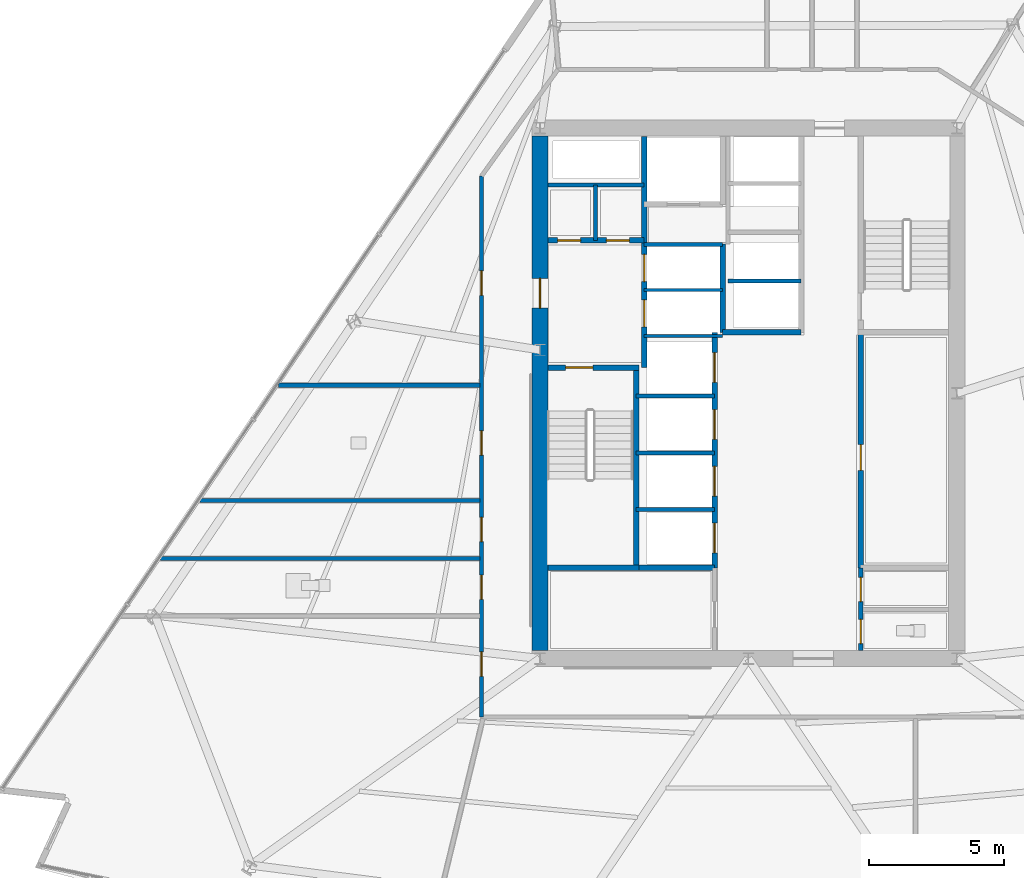
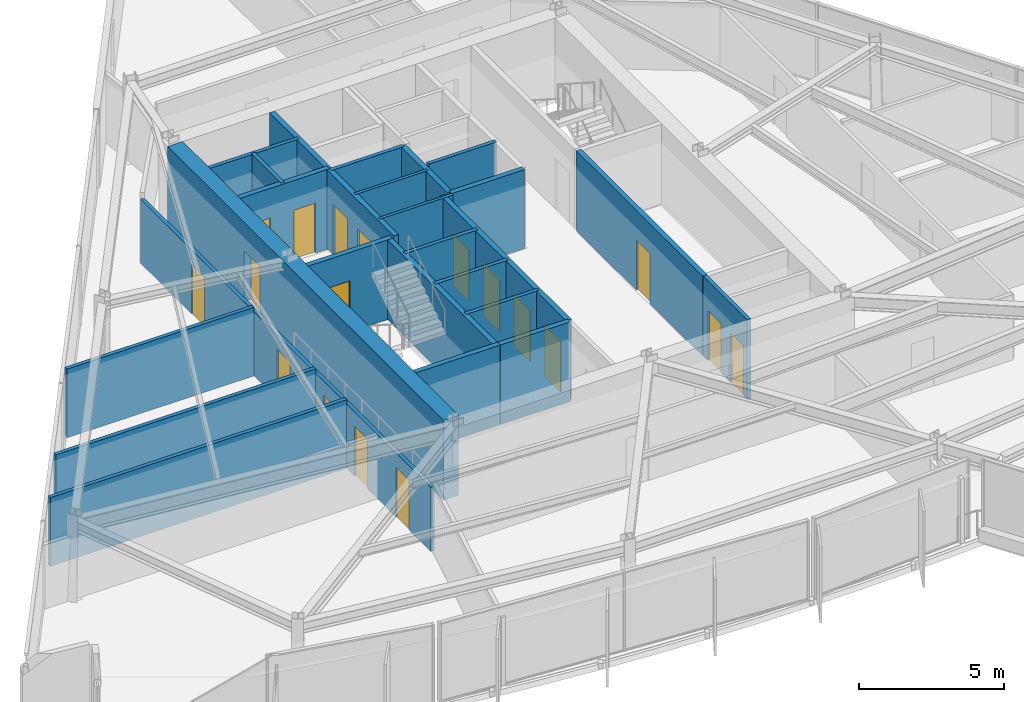
# One storey, part 8 of 15: 25 walls, 18 doors, 18 openings.
"""IFC4 building model written with IfcOpenShell, lengths in metres."""

from ifc_helpers import new_model, si_unit, direction, frame, frame_2d, origin, place, context, subcontext, project, spatial, rectangle, extrude, material, layer, layer_set, type_object, element, fill, save


model = new_model("IFC4")

# Units and contexts
model_context = context("Model", 3, precision=1e-05, world=origin(), true_north=direction((0.0, 1.0)))
body_context = subcontext(model_context, "Body", "Model", "MODEL_VIEW")
ifc_project = project(units=[si_unit("LENGTHUNIT", "METRE"), si_unit("AREAUNIT", "SQUARE_METRE"), si_unit("VOLUMEUNIT", "CUBIC_METRE"), si_unit("PLANEANGLEUNIT", "RADIAN"), si_unit("MASSUNIT", "GRAM", prefix="KILO")], contexts=[model_context])

# Site, building, storey
site_placement = place(None, origin())
site = spatial("IfcSite", under=ifc_project, at=site_placement, CompositionType="ELEMENT")
building_placement = place(site_placement, origin())
building = spatial("IfcBuilding", under=site, at=building_placement, Name="Savorim Split Tower", CompositionType="ELEMENT")
storey_placement = place(building_placement, frame((0.0, 0.0, 122.10009765625)))
storey = spatial("IfcBuildingStorey", under=building, at=storey_placement, Name="L32", CompositionType="ELEMENT", Elevation=122.10009765625)

# Wall, opening, door
ifc_material_1 = material(Name="Concrete C60/75", Category="concrete")
ifc_layer_1 = layer(ifc_material_1, 0.60009765625)
ifc_layer_set_1 = layer_set([ifc_layer_1], Name="WAL-COR-SH600")
wall_type_1 = type_object("IfcWallType", Name="WAL-COR-SH600", PredefinedType="SHEAR", material=ifc_layer_set_1)
wall_1_placement = place(storey_placement, frame((-7.699951171875, -9.10009765625, 0.0), z_axis=(0.0, 0.0, 1.0), x_axis=(0.0, 1.0, 0.0)))
wall_1 = element("IfcWall", 1, at=wall_1_placement, inside=storey, type_object=wall_type_1, Name="L32 Offset Core West Shear Wall", PredefinedType="SHEAR", context=body_context, shape_type="SweptSolid", body=[
    extrude(rectangle(XDim=19.0, YDim=0.60009765625, at=frame_2d((9.5, 0.0))), origin(), (0.0, 0.0, 1.0), 3.349853515625),
])
opening_1_placement = place(wall_1_placement, frame((12.64990234375, 0.0, 0.0)))
opening_1 = element("IfcOpeningElement", 2, at=opening_1_placement, cuts=wall_1, Name="Opening DI-03", PredefinedType="OPENING", context=body_context, shape_type="SweptSolid", body=[
    extrude(rectangle(XDim=1.10009765625, YDim=2.14990234375, at=frame_2d((0.550048828125, 1.074951171875))), frame((0.0, 0.31005859375, 0.0), z_axis=(0.0, -1.0, 0.0), x_axis=(1.0, 0.0, 0.0)), (0.0, 0.0, 1.0), 0.6201171875),
])
ifc_material_2 = material(Name="Timber Fire Door Leaf", Category="wood")
door_type_1 = type_object("IfcDoorType", Name="DOR-FIR-1100", OperationType="NOTDEFINED", PredefinedType="DOOR", material=ifc_material_2)
door_1_placement = place(opening_1_placement, origin())
door_1 = element("IfcDoor", 3, at=door_1_placement, inside=storey, type_object=door_type_1, Name="DOR-L32-COR-FFLOB - L32 Firefighting Lobby Corridor Door", OperationType="SINGLE_SWING_RIGHT", OverallHeight=2.14990234375, OverallWidth=1.10009765625, PredefinedType="DOOR", context=body_context, shape_type="SweptSolid", body=[
    extrude(rectangle(XDim=1.10009765625, YDim=2.14990234375, at=frame_2d((0.550048828125, 1.074951171875))), frame((0.0, 0.02490234375, 0.0), z_axis=(0.0, -1.0, 0.0), x_axis=(1.0, 0.0, 0.0)), (0.0, 0.0, 1.0), 0.050048828125),
])
fill(opening_1, door_1)

ifc_material_3 = material(Name="Concrete C50/60", Category="concrete")
ifc_layer_2 = layer(ifc_material_3, 0.199951171875)
ifc_layer_set_2 = layer_set([ifc_layer_2], Name="WAL-INT-RC200")
wall_type_2 = type_object("IfcWallType", Name="WAL-INT-RC200", PredefinedType="SOLIDWALL", material=ifc_layer_set_2)
wall_2_placement = place(storey_placement, frame((-7.39990234375, 1.35009765625, 0.0), z_axis=(0.0, 0.0, 1.0), x_axis=(1.0, 0.0, 0.0)))
wall_2 = element("IfcWall", 4, at=wall_2_placement, inside=storey, type_object=wall_type_2, Name="L32 Structural Shaft Wall W-L32-CR01", PredefinedType="SOLIDWALL", context=body_context, shape_type="SweptSolid", body=[
    extrude(rectangle(XDim=3.349853515625, YDim=0.199951171875, at=frame_2d((1.6748046875, 0.0))), origin(), (0.0, 0.0, 1.0), 3.349853515625),
])
opening_2_placement = place(wall_2_placement, frame((0.64990234375, 0.0, 0.0)))
opening_2 = element("IfcOpeningElement", 5, at=opening_2_placement, cuts=wall_2, Name="Opening DI-04", PredefinedType="OPENING", context=body_context, shape_type="SweptSolid", body=[
    extrude(rectangle(XDim=1.0, YDim=2.14990234375, at=frame_2d((0.5, 1.074951171875))), frame((0.0, 0.10986328125, 0.0), z_axis=(0.0, -1.0, 0.0), x_axis=(1.0, 0.0, 0.0)), (0.0, 0.0, 1.0), 0.219970703125),
])
door_type_2 = type_object("IfcDoorType", Name="DOR-FIR-1000", OperationType="NOTDEFINED", PredefinedType="DOOR", material=ifc_material_2)
door_2_placement = place(opening_2_placement, origin())
door_2 = element("IfcDoor", 6, at=door_2_placement, inside=storey, type_object=door_type_2, Name="DR-L32-ST1 - L32 Stair ST-1 Enclosure Door", OperationType="SINGLE_SWING_LEFT", OverallHeight=2.14990234375, OverallWidth=1.0, PredefinedType="DOOR", context=body_context, shape_type="SweptSolid", body=[
    extrude(rectangle(XDim=1.0, YDim=2.14990234375, at=frame_2d((0.5, 1.074951171875))), frame((0.0, 0.02490234375, 0.0), z_axis=(0.0, -1.0, 0.0), x_axis=(1.0, 0.0, 0.0)), (0.0, 0.0, 1.0), 0.050048828125),
])
fill(opening_2, door_2)

# Wall
wall_3_placement = place(storey_placement, frame((-4.14990234375, -5.949951171875, 0.0), z_axis=(0.0, 0.0, 1.0), x_axis=(0.0, 1.0, 0.0)))
element("IfcWall", 7, at=wall_3_placement, inside=storey, type_object=wall_type_2, Name="L32 Structural Shaft Wall W-L32-CR02", PredefinedType="SOLIDWALL", context=body_context, shape_type="SweptSolid", body=[
    extrude(rectangle(XDim=7.199951171875, YDim=0.199951171875, at=frame_2d((3.60009765625, 0.0))), origin(), (0.0, 0.0, 1.0), 3.349853515625),
])

# Wall, openings, doors
wall_4_placement = place(storey_placement, frame((-3.85009765625, 1.35009765625, 0.0), z_axis=(0.0, 0.0, 1.0), x_axis=(0.0, 1.0, 0.0)))
wall_4 = element("IfcWall", 8, at=wall_4_placement, inside=storey, type_object=wall_type_2, Name="L32 Partition W-L32-CR03", PredefinedType="SOLIDWALL", context=body_context, shape_type="SweptSolid", body=[
    extrude(rectangle(XDim=8.544921875, YDim=0.199951171875, at=frame_2d((4.2724609375, 0.0))), origin(), (0.0, 0.0, 1.0), 3.349853515625),
])
opening_3_placement = place(wall_4_placement, frame((1.5, 0.0, 0.0)))
opening_3 = element("IfcOpeningElement", 9, at=opening_3_placement, cuts=wall_4, Name="Opening LD-FFL", PredefinedType="OPENING", context=body_context, shape_type="SweptSolid", body=[
    extrude(rectangle(XDim=1.0, YDim=2.14990234375, at=frame_2d((0.5, 1.074951171875))), frame((0.0, 0.10986328125, 0.0), z_axis=(0.0, -1.0, 0.0), x_axis=(1.0, 0.0, 0.0)), (0.0, 0.0, 1.0), 0.219970703125),
])
opening_4_placement = place(wall_4_placement, frame((3.179931640625, 0.0, 0.0)))
opening_4 = element("IfcOpeningElement", 10, at=opening_4_placement, cuts=wall_4, Name="Opening LD-FFL", PredefinedType="OPENING", context=body_context, shape_type="SweptSolid", body=[
    extrude(rectangle(XDim=1.0, YDim=2.14990234375, at=frame_2d((0.5, 1.074951171875))), frame((0.0, 0.10986328125, 0.0), z_axis=(0.0, -1.0, 0.0), x_axis=(1.0, 0.0, 0.0)), (0.0, 0.0, 1.0), 0.219970703125),
])
ifc_material_4 = material(Name="Charcoal Anodised Aluminium", Category="aluminium")
door_type_3 = type_object("IfcDoorType", Name="DOR-SLD-LD1000", OperationType="NOTDEFINED", PredefinedType="DOOR", material=ifc_material_4)
door_3_placement = place(opening_3_placement, origin())
door_3 = element("IfcDoor", 11, at=door_3_placement, inside=storey, type_object=door_type_3, Name="DR-L32-LD-FFL1 - L32 Firefighting Lift FFL-1 Sliding Landing Door", OperationType="DOUBLE_DOOR_SLIDING", OverallHeight=2.14990234375, OverallWidth=1.0, PredefinedType="DOOR", context=body_context, shape_type="SweptSolid", body=[
    extrude(rectangle(XDim=1.0, YDim=2.14990234375, at=frame_2d((0.5, 1.074951171875))), frame((0.0, 0.02490234375, 0.0), z_axis=(0.0, -1.0, 0.0), x_axis=(1.0, 0.0, 0.0)), (0.0, 0.0, 1.0), 0.050048828125),
])
fill(opening_3, door_3)
door_4_placement = place(opening_4_placement, origin())
door_4 = element("IfcDoor", 12, at=door_4_placement, inside=storey, type_object=door_type_3, Name="DR-L32-LD-FFL2 - L32 Firefighting Lift FFL-2 Sliding Landing Door", OperationType="DOUBLE_DOOR_SLIDING", OverallHeight=2.14990234375, OverallWidth=1.0, PredefinedType="DOOR", context=body_context, shape_type="SweptSolid", body=[
    extrude(rectangle(XDim=1.0, YDim=2.14990234375, at=frame_2d((0.5, 1.074951171875))), frame((0.0, 0.02490234375, 0.0), z_axis=(0.0, -1.0, 0.0), x_axis=(1.0, 0.0, 0.0)), (0.0, 0.0, 1.0), 0.050048828125),
])
fill(opening_4, door_4)

wall_5_placement = place(storey_placement, frame((-7.39501953125, 6.050048828125, 0.0), z_axis=(0.0, 0.0, 1.0), x_axis=(1.0, 0.0, 0.0)))
wall_5 = element("IfcWall", 13, at=wall_5_placement, inside=storey, type_object=wall_type_2, Name="L32 Partition W-L32-CR04", PredefinedType="SOLIDWALL", context=body_context, shape_type="SweptSolid", body=[
    extrude(rectangle(XDim=3.544921875, YDim=0.199951171875, at=frame_2d((1.7724609375, 0.0))), origin(), (0.0, 0.0, 1.0), 3.349853515625),
])
opening_5_placement = place(wall_5_placement, frame((0.344970703125, 0.0, 0.0)))
opening_5 = element("IfcOpeningElement", 14, at=opening_5_placement, cuts=wall_5, Name="Opening DI-12", PredefinedType="OPENING", context=body_context, shape_type="SweptSolid", body=[
    extrude(rectangle(XDim=0.85009765625, YDim=2.10009765625, at=frame_2d((0.425048828125, 1.050048828125))), frame((0.0, 0.10986328125, 0.0), z_axis=(0.0, -1.0, 0.0), x_axis=(1.0, 0.0, 0.0)), (0.0, 0.0, 1.0), 0.219970703125),
])
opening_6_placement = place(wall_5_placement, frame((2.14501953125, 0.0, 0.0)))
opening_6 = element("IfcOpeningElement", 15, at=opening_6_placement, cuts=wall_5, Name="Opening DI-12", PredefinedType="OPENING", context=body_context, shape_type="SweptSolid", body=[
    extrude(rectangle(XDim=0.85009765625, YDim=2.10009765625, at=frame_2d((0.425048828125, 1.050048828125))), frame((0.0, 0.10986328125, 0.0), z_axis=(0.0, -1.0, 0.0), x_axis=(1.0, 0.0, 0.0)), (0.0, 0.0, 1.0), 0.219970703125),
])
ifc_material_5 = material(Name="Galvanised Painted Steel Balustrade", Category="steel")
door_type_4 = type_object("IfcDoorType", Name="DOR-RIS-850", OperationType="NOTDEFINED", PredefinedType="DOOR", material=ifc_material_5)
door_5_placement = place(opening_5_placement, origin())
door_5 = element("IfcDoor", 16, at=door_5_placement, inside=storey, type_object=door_type_4, Name="DR-L32-ELR - L32 Electrical Riser Access Door", OperationType="SINGLE_SWING_RIGHT", OverallHeight=2.10009765625, OverallWidth=0.85009765625, PredefinedType="DOOR", context=body_context, shape_type="SweptSolid", body=[
    extrude(rectangle(XDim=0.85009765625, YDim=2.10009765625, at=frame_2d((0.425048828125, 1.050048828125))), frame((0.0, 0.02490234375, 0.0), z_axis=(0.0, -1.0, 0.0), x_axis=(1.0, 0.0, 0.0)), (0.0, 0.0, 1.0), 0.050048828125),
])
fill(opening_5, door_5)
door_6_placement = place(opening_6_placement, origin())
door_6 = element("IfcDoor", 17, at=door_6_placement, inside=storey, type_object=door_type_4, Name="DR-L32-TLR - L32 Telecom Riser Access Door", OperationType="SINGLE_SWING_LEFT", OverallHeight=2.10009765625, OverallWidth=0.85009765625, PredefinedType="DOOR", context=body_context, shape_type="SweptSolid", body=[
    extrude(rectangle(XDim=0.85009765625, YDim=2.10009765625, at=frame_2d((0.425048828125, 1.050048828125))), frame((0.0, 0.02490234375, 0.0), z_axis=(0.0, -1.0, 0.0), x_axis=(1.0, 0.0, 0.0)), (0.0, 0.0, 1.0), 0.050048828125),
])
fill(opening_6, door_6)

# Wall
wall_6_placement = place(storey_placement, frame((-0.949951171875, 2.64990234375, 0.0), z_axis=(0.0, 0.0, 1.0), x_axis=(0.0, 1.0, 0.0)))
element("IfcWall", 18, at=wall_6_placement, inside=storey, type_object=wall_type_2, Name="L32 Partition W-L32-FFLW", PredefinedType="SOLIDWALL", context=body_context, shape_type="SweptSolid", body=[
    extrude(rectangle(XDim=3.27001953125, YDim=0.199951171875, at=frame_2d((1.635009765625, 0.0))), origin(), (0.0, 0.0, 1.0), 3.349853515625),
])

# Wall, opening, door
wall_7_placement = place(storey_placement, frame((4.14990234375, -6.050048828125, 0.0), z_axis=(0.0, 0.0, 1.0), x_axis=(0.0, 1.0, 0.0)))
wall_7 = element("IfcWall", 19, at=wall_7_placement, inside=storey, type_object=wall_type_2, Name="L32 Partition W-L32-B1FRONT", PredefinedType="SOLIDWALL", context=body_context, shape_type="SweptSolid", body=[
    extrude(rectangle(XDim=8.699951171875, YDim=0.199951171875, at=frame_2d((4.35009765625, 0.0))), origin(), (0.0, 0.0, 1.0), 3.349853515625),
])
opening_7_placement = place(wall_7_placement, frame((3.60009765625, 0.0, 0.0)))
opening_7 = element("IfcOpeningElement", 20, at=opening_7_placement, cuts=wall_7, Name="Opening DI-05", PredefinedType="OPENING", context=body_context, shape_type="SweptSolid", body=[
    extrude(rectangle(XDim=0.949951171875, YDim=2.10009765625, at=frame_2d((0.47509765625, 1.050048828125))), frame((0.0, 0.10986328125, 0.0), z_axis=(0.0, -1.0, 0.0), x_axis=(1.0, 0.0, 0.0)), (0.0, 0.0, 1.0), 0.219970703125),
])
door_type_5 = type_object("IfcDoorType", Name="DOR-FIR-950", OperationType="NOTDEFINED", PredefinedType="DOOR", material=ifc_material_2)
door_7_placement = place(opening_7_placement, origin())
door_7 = element("IfcDoor", 21, at=door_7_placement, inside=storey, type_object=door_type_5, Name="DR-L32-LV7B1 - L32 Quiet Study Room Door", OperationType="SINGLE_SWING_RIGHT", OverallHeight=2.10009765625, OverallWidth=0.949951171875, PredefinedType="DOOR", context=body_context, shape_type="SweptSolid", body=[
    extrude(rectangle(XDim=0.949951171875, YDim=2.10009765625, at=frame_2d((0.47509765625, 1.050048828125))), frame((0.0, 0.02490234375, 0.0), z_axis=(0.0, -1.0, 0.0), x_axis=(1.0, 0.0, 0.0)), (0.0, 0.0, 1.0), 0.050048828125),
])
fill(opening_7, door_7)

# Wall, openings, doors
wall_8_placement = place(storey_placement, frame((-1.25, -6.050048828125, 0.0), z_axis=(0.0, 0.0, 1.0), x_axis=(0.0, 1.0, 0.0)))
wall_8 = element("IfcWall", 22, at=wall_8_placement, inside=storey, type_object=wall_type_2, Name="L32 Partition W-L32-B2FRONT", PredefinedType="SOLIDWALL", context=body_context, shape_type="SweptSolid", body=[
    extrude(rectangle(XDim=8.699951171875, YDim=0.199951171875, at=frame_2d((4.35009765625, 0.0))), origin(), (0.0, 0.0, 1.0), 3.349853515625),
])
opening_8_placement = place(wall_8_placement, frame((0.550048828125, 0.0, 0.0)))
opening_8 = element("IfcOpeningElement", 23, at=opening_8_placement, cuts=wall_8, Name="Opening LD-02", PredefinedType="OPENING", context=body_context, shape_type="SweptSolid", body=[
    extrude(rectangle(XDim=1.10009765625, YDim=2.14990234375, at=frame_2d((0.550048828125, 1.074951171875))), frame((0.0, 0.10986328125, 0.0), z_axis=(0.0, -1.0, 0.0), x_axis=(1.0, 0.0, 0.0)), (0.0, 0.0, 1.0), 0.219970703125),
])
opening_9_placement = place(wall_8_placement, frame((2.64990234375, 0.0, 0.0)))
opening_9 = element("IfcOpeningElement", 24, at=opening_9_placement, cuts=wall_8, Name="Opening LD-02", PredefinedType="OPENING", context=body_context, shape_type="SweptSolid", body=[
    extrude(rectangle(XDim=1.10009765625, YDim=2.14990234375, at=frame_2d((0.550048828125, 1.074951171875))), frame((0.0, 0.10986328125, 0.0), z_axis=(0.0, -1.0, 0.0), x_axis=(1.0, 0.0, 0.0)), (0.0, 0.0, 1.0), 0.219970703125),
])
opening_10_placement = place(wall_8_placement, frame((4.75, 0.0, 0.0)))
opening_10 = element("IfcOpeningElement", 25, at=opening_10_placement, cuts=wall_8, Name="Opening LD-02", PredefinedType="OPENING", context=body_context, shape_type="SweptSolid", body=[
    extrude(rectangle(XDim=1.10009765625, YDim=2.14990234375, at=frame_2d((0.550048828125, 1.074951171875))), frame((0.0, 0.10986328125, 0.0), z_axis=(0.0, -1.0, 0.0), x_axis=(1.0, 0.0, 0.0)), (0.0, 0.0, 1.0), 0.219970703125),
])
opening_11_placement = place(wall_8_placement, frame((6.85009765625, 0.0, 0.0)))
opening_11 = element("IfcOpeningElement", 26, at=opening_11_placement, cuts=wall_8, Name="Opening LD-02", PredefinedType="OPENING", context=body_context, shape_type="SweptSolid", body=[
    extrude(rectangle(XDim=1.10009765625, YDim=2.14990234375, at=frame_2d((0.550048828125, 1.074951171875))), frame((0.0, 0.10986328125, 0.0), z_axis=(0.0, -1.0, 0.0), x_axis=(1.0, 0.0, 0.0)), (0.0, 0.0, 1.0), 0.219970703125),
])
door_type_6 = type_object("IfcDoorType", Name="DOR-SLD-LDM1100", OperationType="NOTDEFINED", PredefinedType="DOOR", material=ifc_material_4)
door_8_placement = place(opening_8_placement, origin())
door_8 = element("IfcDoor", 27, at=door_8_placement, inside=storey, type_object=door_type_6, Name="DR-L32-LD-PLM1 - L32 Lift PL-M1 Sliding Landing Door", OperationType="DOUBLE_DOOR_SLIDING", OverallHeight=2.14990234375, OverallWidth=1.10009765625, PredefinedType="DOOR", context=body_context, shape_type="SweptSolid", body=[
    extrude(rectangle(XDim=1.10009765625, YDim=2.14990234375, at=frame_2d((0.550048828125, 1.074951171875))), frame((0.0, 0.02490234375, 0.0), z_axis=(0.0, -1.0, 0.0), x_axis=(1.0, 0.0, 0.0)), (0.0, 0.0, 1.0), 0.050048828125),
])
fill(opening_8, door_8)
door_9_placement = place(opening_9_placement, origin())
door_9 = element("IfcDoor", 28, at=door_9_placement, inside=storey, type_object=door_type_6, Name="DR-L32-LD-PLM2 - L32 Lift PL-M2 Sliding Landing Door", OperationType="DOUBLE_DOOR_SLIDING", OverallHeight=2.14990234375, OverallWidth=1.10009765625, PredefinedType="DOOR", context=body_context, shape_type="SweptSolid", body=[
    extrude(rectangle(XDim=1.10009765625, YDim=2.14990234375, at=frame_2d((0.550048828125, 1.074951171875))), frame((0.0, 0.02490234375, 0.0), z_axis=(0.0, -1.0, 0.0), x_axis=(1.0, 0.0, 0.0)), (0.0, 0.0, 1.0), 0.050048828125),
])
fill(opening_9, door_9)
door_10_placement = place(opening_10_placement, origin())
door_10 = element("IfcDoor", 29, at=door_10_placement, inside=storey, type_object=door_type_6, Name="DR-L32-LD-PLM3 - L32 Lift PL-M3 Sliding Landing Door", OperationType="DOUBLE_DOOR_SLIDING", OverallHeight=2.14990234375, OverallWidth=1.10009765625, PredefinedType="DOOR", context=body_context, shape_type="SweptSolid", body=[
    extrude(rectangle(XDim=1.10009765625, YDim=2.14990234375, at=frame_2d((0.550048828125, 1.074951171875))), frame((0.0, 0.02490234375, 0.0), z_axis=(0.0, -1.0, 0.0), x_axis=(1.0, 0.0, 0.0)), (0.0, 0.0, 1.0), 0.050048828125),
])
fill(opening_10, door_10)
door_11_placement = place(opening_11_placement, origin())
door_11 = element("IfcDoor", 30, at=door_11_placement, inside=storey, type_object=door_type_6, Name="DR-L32-LD-PLM4 - L32 Lift PL-M4 Sliding Landing Door", OperationType="DOUBLE_DOOR_SLIDING", OverallHeight=2.14990234375, OverallWidth=1.10009765625, PredefinedType="DOOR", context=body_context, shape_type="SweptSolid", body=[
    extrude(rectangle(XDim=1.10009765625, YDim=2.14990234375, at=frame_2d((0.550048828125, 1.074951171875))), frame((0.0, 0.02490234375, 0.0), z_axis=(0.0, -1.0, 0.0), x_axis=(1.0, 0.0, 0.0)), (0.0, 0.0, 1.0), 0.050048828125),
])
fill(opening_11, door_11)

# Walls
wall_9_placement = place(storey_placement, frame((-0.949951171875, 2.64990234375, 0.0), z_axis=(0.0, 0.0, 1.0), x_axis=(1.0, 0.0, 0.0)))
element("IfcWall", 31, at=wall_9_placement, inside=storey, type_object=wall_type_2, Name="L32 Partition W-L32-B3SOUTH", PredefinedType="SOLIDWALL", context=body_context, shape_type="SweptSolid", body=[
    extrude(rectangle(XDim=2.89990234375, YDim=0.199951171875, at=frame_2d((1.449951171875, 0.0))), origin(), (0.0, 0.0, 1.0), 3.349853515625),
])
wall_10_placement = place(storey_placement, frame((-7.39990234375, -6.050048828125, 0.0), z_axis=(0.0, 0.0, 1.0), x_axis=(1.0, 0.0, 0.0)))
element("IfcWall", 32, at=wall_10_placement, inside=storey, type_object=wall_type_2, Name="L32 Structural Shaft Wall W-L32-KSEP-W", PredefinedType="SOLIDWALL", context=body_context, shape_type="SweptSolid", body=[
    extrude(rectangle(XDim=3.349853515625, YDim=0.199951171875, at=frame_2d((1.6748046875, 0.0))), origin(), (0.0, 0.0, 1.0), 3.349853515625),
])
wall_11_placement = place(storey_placement, frame((-4.0400390625, -6.050048828125, 0.0), z_axis=(0.0, 0.0, 1.0), x_axis=(1.0, 0.0, 0.0)))
element("IfcWall", 33, at=wall_11_placement, inside=storey, type_object=wall_type_2, Name="L32 Partition W-L32-KSEP-W2", PredefinedType="SOLIDWALL", context=body_context, shape_type="SweptSolid", body=[
    extrude(rectangle(XDim=2.7900390625, YDim=0.199951171875, at=frame_2d((1.39501953125, 0.0))), origin(), (0.0, 0.0, 1.0), 3.349853515625),
])
ifc_material_6 = material(Name="Acoustic Gypsum Partition Board")
ifc_layer_3 = layer(ifc_material_6, 0.1201171875)
ifc_layer_set_3 = layer_set([ifc_layer_3], Name="WAL-PAR-120")
wall_type_3 = type_object("IfcWallType", Name="WAL-PAR-120", PredefinedType="PARTITIONING", material=ifc_layer_set_3)
for number, where, z_axis, x_axis, name in (
    (34, (-3.85009765625, 2.52001953125, 0.0), (0.0, 0.0, 1.0), (1.0, 0.0, 0.0), "L32 Partition W-L32-FFLD0"),
    (35, (-3.85009765625, 4.219970703125, 0.0), (0.0, 0.0, 1.0), (1.0, 0.0, 0.0), "L32 Partition W-L32-FFLD1"),
):
    element("IfcWall", number, at=place(storey_placement, frame(where, z_axis=z_axis, x_axis=x_axis)), inside=storey, type_object=wall_type_3, Name=name, PredefinedType="PARTITIONING", context=body_context, shape_type="SweptSolid", body=[
        extrude(rectangle(XDim=2.900146484375, YDim=0.1201171875, at=frame_2d((1.4501953125, 0.0))), origin(), (0.0, 0.0, 1.0), 3.349853515625),
    ])
ifc_layer_4 = layer(ifc_material_6, 0.14990234375)
ifc_layer_set_4 = layer_set([ifc_layer_4], Name="WAL-PAR-150")
wall_type_4 = type_object("IfcWallType", Name="WAL-PAR-150", PredefinedType="PARTITIONING", material=ifc_layer_set_4)
wall_12_placement = place(storey_placement, frame((-7.39501953125, 8.10009765625, 0.0), z_axis=(0.0, 0.0, 1.0), x_axis=(1.0, 0.0, 0.0)))
element("IfcWall", 36, at=wall_12_placement, inside=storey, type_object=wall_type_4, Name="L32 Partition W-L32-CR05", PredefinedType="PARTITIONING", context=body_context, shape_type="SweptSolid", body=[
    extrude(rectangle(XDim=3.544921875, YDim=0.14990234375, at=frame_2d((1.7724609375, 0.0))), origin(), (0.0, 0.0, 1.0), 3.349853515625),
])
wall_13_placement = place(storey_placement, frame((-5.64990234375, 6.050048828125, 0.0), z_axis=(0.0, 0.0, 1.0), x_axis=(0.0, 1.0, 0.0)))
element("IfcWall", 37, at=wall_13_placement, inside=storey, type_object=wall_type_4, Name="L32 Partition W-L32-CR06", PredefinedType="PARTITIONING", context=body_context, shape_type="SweptSolid", body=[
    extrude(rectangle(XDim=2.050048828125, YDim=0.14990234375, at=frame_2d((1.02490234375, 0.0))), origin(), (0.0, 0.0, 1.0), 3.349853515625),
])
wall_14_placement = place(storey_placement, frame((-3.85009765625, 5.89990234375, 0.0), z_axis=(0.0, 0.0, 1.0), x_axis=(1.0, 0.0, 0.0)))
element("IfcWall", 38, at=wall_14_placement, inside=storey, type_object=wall_type_4, Name="L32 Partition W-L32-FFLD2", PredefinedType="PARTITIONING", context=body_context, shape_type="SweptSolid", body=[
    extrude(rectangle(XDim=2.900146484375, YDim=0.14990234375, at=frame_2d((1.4501953125, 0.0))), origin(), (0.0, 0.0, 1.0), 3.349853515625),
])
for number, where, z_axis, x_axis, name in (
    (39, (-4.14990234375, -3.89990234375, 0.0), (0.0, 0.0, 1.0), (1.0, 0.0, 0.0), "L32 Partition W-L32-B2DIV1"),
    (40, (-4.14990234375, -1.800048828125, 0.0), (0.0, 0.0, 1.0), (1.0, 0.0, 0.0), "L32 Partition W-L32-B2DIV2"),
    (41, (-4.14990234375, 0.300048828125, 0.0), (0.0, 0.0, 1.0), (1.0, 0.0, 0.0), "L32 Partition W-L32-B2DIV3"),
):
    element("IfcWall", number, at=place(storey_placement, frame(where, z_axis=z_axis, x_axis=x_axis)), inside=storey, type_object=wall_type_4, Name=name, PredefinedType="PARTITIONING", context=body_context, shape_type="SweptSolid", body=[
        extrude(rectangle(XDim=2.89990234375, YDim=0.14990234375, at=frame_2d((1.449951171875, 0.0))), origin(), (0.0, 0.0, 1.0), 3.349853515625),
    ])
wall_15_placement = place(storey_placement, frame((-0.75, 4.550048828125, 0.0), z_axis=(0.0, 0.0, 1.0), x_axis=(1.0, 0.0, 0.0)))
element("IfcWall", 42, at=wall_15_placement, inside=storey, type_object=wall_type_4, Name="L32 Partition W-L32-B3DIV1", PredefinedType="PARTITIONING", context=body_context, shape_type="SweptSolid", body=[
    extrude(rectangle(XDim=2.699951171875, YDim=0.14990234375, at=frame_2d((1.35009765625, 0.0))), origin(), (0.0, 0.0, 1.0), 3.349853515625),
])

# Wall, openings, doors
wall_16_placement = place(storey_placement, frame((4.14990234375, -9.094970703125, 0.0), z_axis=(0.0, 0.0, 1.0), x_axis=(0.0, 1.0, 0.0)))
wall_16 = element("IfcWall", 43, at=wall_16_placement, inside=storey, type_object=wall_type_4, Name="L32 Partition W-L32-KLOB-E", PredefinedType="PARTITIONING", context=body_context, shape_type="SweptSolid", body=[
    extrude(rectangle(XDim=3.044921875, YDim=0.14990234375, at=frame_2d((1.5224609375, 0.0))), origin(), (0.0, 0.0, 1.0), 3.349853515625),
])
opening_12_placement = place(wall_16_placement, frame((0.2451171875, 0.0, 0.0)))
opening_12 = element("IfcOpeningElement", 44, at=opening_12_placement, cuts=wall_16, Name="Opening DI-11", PredefinedType="OPENING", context=body_context, shape_type="SweptSolid", body=[
    extrude(rectangle(XDim=0.89990234375, YDim=2.10009765625, at=frame_2d((0.449951171875, 1.050048828125))), frame((0.0, 0.0849609375, 0.0), z_axis=(0.0, -1.0, 0.0), x_axis=(1.0, 0.0, 0.0)), (0.0, 0.0, 1.0), 0.169921875),
])
opening_13_placement = place(wall_16_placement, frame((1.794921875, 0.0, 0.0)))
opening_13 = element("IfcOpeningElement", 45, at=opening_13_placement, cuts=wall_16, Name="Opening DI-06", PredefinedType="OPENING", context=body_context, shape_type="SweptSolid", body=[
    extrude(rectangle(XDim=0.89990234375, YDim=2.10009765625, at=frame_2d((0.449951171875, 1.050048828125))), frame((0.0, 0.0849609375, 0.0), z_axis=(0.0, -1.0, 0.0), x_axis=(1.0, 0.0, 0.0)), (0.0, 0.0, 1.0), 0.169921875),
])
door_type_7 = type_object("IfcDoorType", Name="DOR-FIR-900", OperationType="NOTDEFINED", PredefinedType="DOOR", material=ifc_material_2)
door_12_placement = place(opening_13_placement, origin())
door_12 = element("IfcDoor", 46, at=door_12_placement, inside=storey, type_object=door_type_7, Name="DR-L32-K3LCK - L32 Cleaning Store Door", OperationType="SINGLE_SWING_LEFT", OverallHeight=2.10009765625, OverallWidth=0.89990234375, PredefinedType="DOOR", context=body_context, shape_type="SweptSolid", body=[
    extrude(rectangle(XDim=0.89990234375, YDim=2.10009765625, at=frame_2d((0.449951171875, 1.050048828125))), frame((0.0, 0.02490234375, 0.0), z_axis=(0.0, -1.0, 0.0), x_axis=(1.0, 0.0, 0.0)), (0.0, 0.0, 1.0), 0.050048828125),
])
fill(opening_13, door_12)
ifc_material_7 = material(Name="Oak Veneer Acoustic Door")
door_type_8 = type_object("IfcDoorType", Name="DOR-WC-900", OperationType="NOTDEFINED", PredefinedType="DOOR", material=ifc_material_7)
door_13_placement = place(opening_12_placement, origin())
door_13 = element("IfcDoor", 47, at=door_13_placement, inside=storey, type_object=door_type_8, Name="DR-L32-K3AWC - L32 Core Accessible WC Door", OperationType="SINGLE_SWING_RIGHT", OverallHeight=2.10009765625, OverallWidth=0.89990234375, PredefinedType="DOOR", context=body_context, shape_type="SweptSolid", body=[
    extrude(rectangle(XDim=0.89990234375, YDim=2.10009765625, at=frame_2d((0.449951171875, 1.050048828125))), frame((0.0, 0.02490234375, 0.0), z_axis=(0.0, -1.0, 0.0), x_axis=(1.0, 0.0, 0.0)), (0.0, 0.0, 1.0), 0.050048828125),
])
fill(opening_12, door_13)

wall_17_placement = place(storey_placement, frame((-9.860107421875, -11.56005859375, 0.0), z_axis=(0.0, 0.0, 1.0), x_axis=(0.0, 1.0, 0.0)))
wall_17 = element("IfcWall", 48, at=wall_17_placement, inside=storey, type_object=wall_type_4, Name="L32 Partition W-L32-COR-01", PredefinedType="PARTITIONING", context=body_context, shape_type="SweptSolid", body=[
    extrude(rectangle(XDim=19.98583984375, YDim=0.14990234375, at=frame_2d((9.992919921875, 0.0))), origin(), (0.0, 0.0, 1.0), 2.704833984375),
])
opening_14_placement = place(wall_17_placement, frame((9.67529296875, 0.0, 0.0)))
opening_14 = element("IfcOpeningElement", 49, at=opening_14_placement, cuts=wall_17, Name="Opening DI-06", PredefinedType="OPENING", context=body_context, shape_type="SweptSolid", body=[
    extrude(rectangle(XDim=0.89990234375, YDim=2.10009765625, at=frame_2d((0.449951171875, 1.050048828125))), frame((0.0, 0.0849609375, 0.0), z_axis=(0.0, -1.0, 0.0), x_axis=(1.0, 0.0, 0.0)), (0.0, 0.0, 1.0), 0.169921875),
])
opening_15_placement = place(wall_17_placement, frame((6.47705078125, 0.0, 0.0)))
opening_15 = element("IfcOpeningElement", 50, at=opening_15_placement, cuts=wall_17, Name="Opening DI-06", PredefinedType="OPENING", context=body_context, shape_type="SweptSolid", body=[
    extrude(rectangle(XDim=0.89990234375, YDim=2.10009765625, at=frame_2d((0.449951171875, 1.050048828125))), frame((0.0, 0.0849609375, 0.0), z_axis=(0.0, -1.0, 0.0), x_axis=(1.0, 0.0, 0.0)), (0.0, 0.0, 1.0), 0.169921875),
])
opening_16_placement = place(wall_17_placement, frame((4.344970703125, 0.0, 0.0)))
opening_16 = element("IfcOpeningElement", 51, at=opening_16_placement, cuts=wall_17, Name="Opening DI-11", PredefinedType="OPENING", context=body_context, shape_type="SweptSolid", body=[
    extrude(rectangle(XDim=0.89990234375, YDim=2.10009765625, at=frame_2d((0.449951171875, 1.050048828125))), frame((0.0, 0.0849609375, 0.0), z_axis=(0.0, -1.0, 0.0), x_axis=(1.0, 0.0, 0.0)), (0.0, 0.0, 1.0), 0.169921875),
])
opening_17_placement = place(wall_17_placement, frame((1.503662109375, 0.0, 0.0)))
opening_17 = element("IfcOpeningElement", 52, at=opening_17_placement, cuts=wall_17, Name="Opening DI-06", PredefinedType="OPENING", context=body_context, shape_type="SweptSolid", body=[
    extrude(rectangle(XDim=0.89990234375, YDim=2.10009765625, at=frame_2d((0.449951171875, 1.050048828125))), frame((0.0, 0.0849609375, 0.0), z_axis=(0.0, -1.0, 0.0), x_axis=(1.0, 0.0, 0.0)), (0.0, 0.0, 1.0), 0.169921875),
])
opening_18_placement = place(wall_17_placement, frame((15.58251953125, 0.0, 0.0)))
opening_18 = element("IfcOpeningElement", 53, at=opening_18_placement, cuts=wall_17, Name="Opening DI-06", PredefinedType="OPENING", context=body_context, shape_type="SweptSolid", body=[
    extrude(rectangle(XDim=0.89990234375, YDim=2.10009765625, at=frame_2d((0.449951171875, 1.050048828125))), frame((0.0, 0.0849609375, 0.0), z_axis=(0.0, -1.0, 0.0), x_axis=(1.0, 0.0, 0.0)), (0.0, 0.0, 1.0), 0.169921875),
])
door_14_placement = place(opening_14_placement, origin())
door_14 = element("IfcDoor", 54, at=door_14_placement, inside=storey, type_object=door_type_7, Name="DR-L32-RM01 - L32 Shared Kitchen Entry Door", OperationType="SINGLE_SWING_RIGHT", OverallHeight=2.10009765625, OverallWidth=0.89990234375, PredefinedType="DOOR", context=body_context, shape_type="SweptSolid", body=[
    extrude(rectangle(XDim=0.89990234375, YDim=2.10009765625, at=frame_2d((0.449951171875, 1.050048828125))), frame((0.0, 0.02490234375, 0.0), z_axis=(0.0, -1.0, 0.0), x_axis=(1.0, 0.0, 0.0)), (0.0, 0.0, 1.0), 0.050048828125),
])
fill(opening_14, door_14)
door_15_placement = place(opening_15_placement, origin())
door_15 = element("IfcDoor", 55, at=door_15_placement, inside=storey, type_object=door_type_7, Name="DR-L32-RM02 - L32 Co-Living Bedroom Entry Door", OperationType="SINGLE_SWING_LEFT", OverallHeight=2.10009765625, OverallWidth=0.89990234375, PredefinedType="DOOR", context=body_context, shape_type="SweptSolid", body=[
    extrude(rectangle(XDim=0.89990234375, YDim=2.10009765625, at=frame_2d((0.449951171875, 1.050048828125))), frame((0.0, 0.02490234375, 0.0), z_axis=(0.0, -1.0, 0.0), x_axis=(1.0, 0.0, 0.0)), (0.0, 0.0, 1.0), 0.050048828125),
])
fill(opening_15, door_15)
door_16_placement = place(opening_17_placement, origin())
door_16 = element("IfcDoor", 56, at=door_16_placement, inside=storey, type_object=door_type_7, Name="DR-L32-RM04 - L32 Maker Workshop Entry Door", OperationType="SINGLE_SWING_LEFT", OverallHeight=2.10009765625, OverallWidth=0.89990234375, PredefinedType="DOOR", context=body_context, shape_type="SweptSolid", body=[
    extrude(rectangle(XDim=0.89990234375, YDim=2.10009765625, at=frame_2d((0.449951171875, 1.050048828125))), frame((0.0, 0.02490234375, 0.0), z_axis=(0.0, -1.0, 0.0), x_axis=(1.0, 0.0, 0.0)), (0.0, 0.0, 1.0), 0.050048828125),
])
fill(opening_17, door_16)
door_17_placement = place(opening_18_placement, origin())
door_17 = element("IfcDoor", 57, at=door_17_placement, inside=storey, type_object=door_type_7, Name="DR-L32-RM14 - L32 Maker Workshop Entry Door", OperationType="SINGLE_SWING_LEFT", OverallHeight=2.10009765625, OverallWidth=0.89990234375, PredefinedType="DOOR", context=body_context, shape_type="SweptSolid", body=[
    extrude(rectangle(XDim=0.89990234375, YDim=2.10009765625, at=frame_2d((0.449951171875, 1.050048828125))), frame((0.0, 0.02490234375, 0.0), z_axis=(0.0, -1.0, 0.0), x_axis=(1.0, 0.0, 0.0)), (0.0, 0.0, 1.0), 0.050048828125),
])
fill(opening_18, door_17)
door_18_placement = place(opening_16_placement, origin())
door_18 = element("IfcDoor", 58, at=door_18_placement, inside=storey, type_object=door_type_8, Name="DR-L32-RM03 - L32 Shared Bathroom Entry Door", OperationType="SINGLE_SWING_RIGHT", OverallHeight=2.10009765625, OverallWidth=0.89990234375, PredefinedType="DOOR", context=body_context, shape_type="SweptSolid", body=[
    extrude(rectangle(XDim=0.89990234375, YDim=2.10009765625, at=frame_2d((0.449951171875, 1.050048828125))), frame((0.0, 0.02490234375, 0.0), z_axis=(0.0, -1.0, 0.0), x_axis=(1.0, 0.0, 0.0)), (0.0, 0.0, 1.0), 0.050048828125),
])
fill(opening_16, door_18)

# Walls
wall_18_placement = place(storey_placement, frame((-9.919921875, 0.697509765625, 0.0), z_axis=(0.0, 0.0, 1.0), x_axis=(-1.0, 0.0, 0.0)))
element("IfcWall", 59, at=wall_18_placement, inside=storey, type_object=wall_type_4, Name="L32 Partition W-L32-SUB02", PredefinedType="PARTITIONING", context=body_context, shape_type="SweptSolid", body=[
    extrude(rectangle(XDim=7.4462890625, YDim=0.14990234375, at=frame_2d((3.72314453125, 0.0))), origin(), (0.0, 0.0, 1.0), 2.885009765625),
])
wall_19_placement = place(storey_placement, frame((-9.919921875, -3.56689453125, 0.0), z_axis=(0.0, 0.0, 1.0), x_axis=(-0.999999999722, 2.3594922e-05, 0.0)))
element("IfcWall", 60, at=wall_19_placement, inside=storey, type_object=wall_type_4, Name="L32 Partition W-L32-SUB08", PredefinedType="PARTITIONING", context=body_context, shape_type="SweptSolid", body=[
    extrude(rectangle(XDim=10.34716796875, YDim=0.14990234375, at=frame_2d((5.173583984375, 0.0))), origin(), (0.0, 0.0, 1.0), 2.885009765625),
])
wall_20_placement = place(storey_placement, frame((-9.919921875, -5.698974609375, 0.0), z_axis=(0.0, 0.0, 1.0), x_axis=(-1.0, 0.0, 0.0)))
element("IfcWall", 61, at=wall_20_placement, inside=storey, type_object=wall_type_4, Name="L32 Partition W-L32-SUB09", PredefinedType="PARTITIONING", context=body_context, shape_type="SweptSolid", body=[
    extrude(rectangle(XDim=11.797607421875, YDim=0.14990234375, at=frame_2d((5.89892578125, 0.0))), origin(), (0.0, 0.0, 1.0), 2.885009765625),
])

save(model, "model.ifc")
